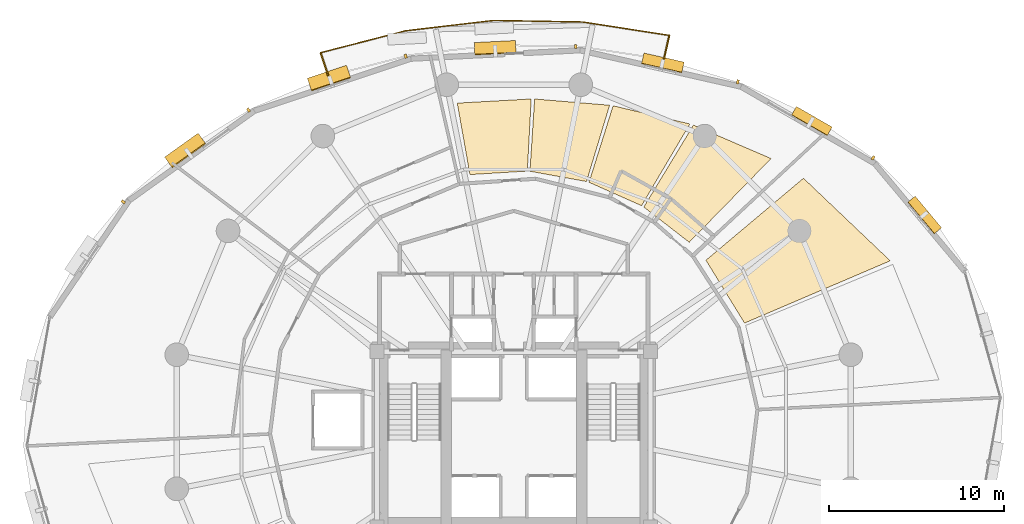
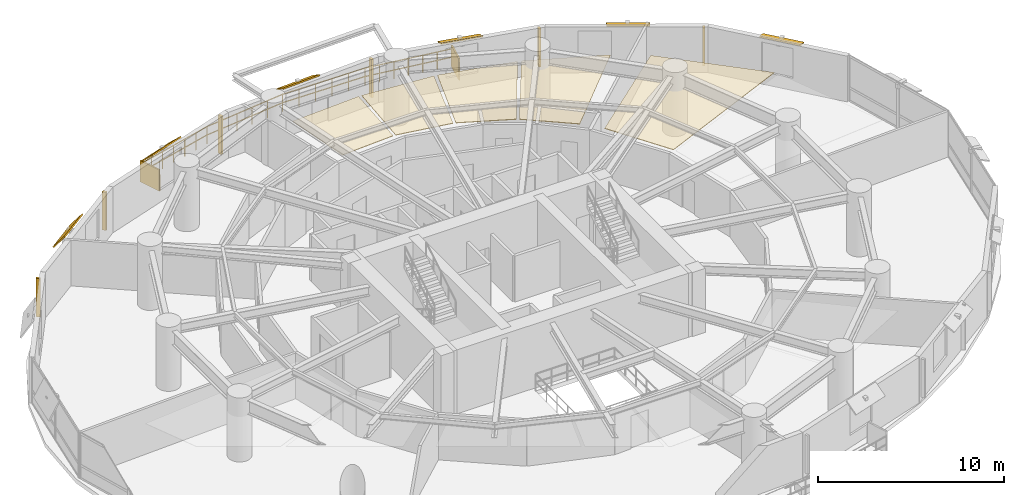
# One storey, part 16 of 16: 14 shading devices, 5 coverings, 1 railing.
"""IFC4 building model written with IfcOpenShell, lengths in metres."""

from ifc_helpers import new_model, si_unit, direction, frame, origin, origin_2d, place, context, subcontext, project, spatial, polyline, rectangle, outline, extrude, material, layer, layer_set, type_object, element, save


model = new_model("IFC4")

# Units and contexts
model_context = context("Model", 3, precision=1e-05, world=origin(), true_north=direction((0.0, 1.0)))
body_context = subcontext(model_context, "Body", "Model", "MODEL_VIEW")
ifc_project = project(units=[si_unit("LENGTHUNIT", "METRE"), si_unit("AREAUNIT", "SQUARE_METRE"), si_unit("VOLUMEUNIT", "CUBIC_METRE"), si_unit("PLANEANGLEUNIT", "RADIAN"), si_unit("MASSUNIT", "GRAM", prefix="KILO"), si_unit("THERMODYNAMICTEMPERATUREUNIT", "KELVIN"), si_unit("POWERUNIT", "WATT")], contexts=[model_context])

# Site, building, storey
site_placement = place(None, origin())
site = spatial("IfcSite", under=ifc_project, at=site_placement, CompositionType="ELEMENT")
building_placement = place(site_placement, origin())
building = spatial("IfcBuilding", under=site, at=building_placement, Name="Ocrelia Relay Tower", CompositionType="ELEMENT")
storey_placement = place(building_placement, frame((0.0, 0.0, 42.60009765625)))
storey = spatial("IfcBuildingStorey", under=building, at=storey_placement, Name="L09", CompositionType="ELEMENT", Elevation=42.60009765625)

# Coverings
ifc_material_1 = material(Name="Mineral-fiber acoustic ceiling tile", Category="gypsum")
ifc_layer_1 = layer(ifc_material_1, 0.0400390625, Name="Mineral-fiber acoustic ceiling tile")
ifc_layer_set_1 = layer_set([ifc_layer_1], Name="Mineral-fiber acoustic ceiling tile")
covering_type = type_object("IfcCoveringType", Name="COV-CEIL-ACOUSTIC", PredefinedType="CEILING", material=ifc_layer_set_1)
covering_1_placement = place(storey_placement, frame((0.0, 0.0, 2.919921875)))
element("IfcCovering", 1, at=covering_1_placement, inside=storey, type_object=covering_type, Name="L09 Network Engineering Office A Suspended Ceiling 1", PredefinedType="CEILING", context=body_context, shape_type="SweptSolid", body=[
    extrude(outline(polyline([(44.01025390625, 36.239990234375), (48.67919921875, 41.01611328125), (44.25, 42.924560546875), (41.418212890625, 38.248779296875), (44.01025390625, 36.239990234375)])), origin(), (0.0, 0.0, 1.0), 0.0400390625),
])
covering_2_placement = place(storey_placement, frame((0.0, 0.0, 2.919921875)))
element("IfcCovering", 2, at=covering_2_placement, inside=storey, type_object=covering_type, Name="L09 Network Engineering Office A Suspended Ceiling 2", PredefinedType="CEILING", context=body_context, shape_type="SweptSolid", body=[
    extrude(outline(polyline([(41.28955078125, 38.32568359375), (44.0478515625, 42.989990234375), (39.666748046875, 44.02734375), (38.294189453125, 39.660888671875), (41.28955078125, 38.32568359375)])), origin(), (0.0, 0.0, 1.0), 0.0400390625),
])
covering_3_placement = place(storey_placement, frame((0.0, 0.0, 2.919921875)))
element("IfcCovering", 3, at=covering_3_placement, inside=storey, type_object=covering_type, Name="L09 Network Engineering Office A Suspended Ceiling 3", PredefinedType="CEILING", context=body_context, shape_type="SweptSolid", body=[
    extrude(outline(polyline([(38.15087890625, 39.705078125), (39.46923828125, 44.05810546875), (35.190673828125, 44.413330078125), (34.924072265625, 40.290283203125), (38.15087890625, 39.705078125)])), origin(), (0.0, 0.0, 1.0), 0.0400390625),
])
covering_4_placement = place(storey_placement, frame((0.0, 0.0, 2.919921875)))
element("IfcCovering", 4, at=covering_4_placement, inside=storey, type_object=covering_type, Name="L09 Network Engineering Office A Suspended Ceiling 4", PredefinedType="CEILING", context=body_context, shape_type="SweptSolid", body=[
    extrude(outline(polyline([(34.7744140625, 40.299072265625), (34.997314453125, 44.415771484375), (30.778076171875, 44.179443359375), (31.501220703125, 40.100341796875), (34.7744140625, 40.299072265625)])), origin(), (0.0, 0.0, 1.0), 0.0400390625),
])
covering_5_placement = place(storey_placement, frame((0.0, 0.0, 2.919921875)))
element("IfcCovering", 5, at=covering_5_placement, inside=storey, type_object=covering_type, Name="L09 Shift Staff Lounge Suspended Ceiling 2", PredefinedType="CEILING", context=body_context, shape_type="SweptSolid", body=[
    extrude(outline(polyline([(47.1669921875, 31.6298828125), (55.476318359375, 35.1826171875), (50.526611328125, 39.89208984375), (44.961669921875, 35.21435546875), (47.1669921875, 31.6298828125)])), origin(), (0.0, 0.0, 1.0), 0.0400390625),
])

# Railing
ifc_material_2 = material(Name="Steel S355 balustrade", Category="steel")
railing_type = type_object("IfcRailingType", Name="RL-EXT-GUARD-1150", PredefinedType="GUARDRAIL", material=ifc_material_2)
railing_placement = place(storey_placement, frame((23.421142578125, 45.730712890625, 0.0)))
element("IfcRailing", 6, at=railing_placement, inside=storey, type_object=railing_type, Name="L09 Loggia Balcony Guard Rail B1", PredefinedType="GUARDRAIL", context=body_context, shape_type="SweptSolid", body=[
    extrude(rectangle(XDim=0.048095703125, YDim=0.048095703125, at=origin_2d()), frame((0.0, 0.0, 1.1259765625), z_axis=(-0.317489032243, 0.948261943983, 0.0), x_axis=(-0.948261943983, -0.317489032243, 0.0)), (0.0, 0.0, 1.0), 1.393310546875),
    extrude(rectangle(XDim=0.048095703125, YDim=0.048095703125, at=origin_2d()), frame((0.0, 0.0, 0.574951171875), z_axis=(-0.317489032243, 0.948261943983, 0.0), x_axis=(-0.948261943983, -0.317489032243, 0.0)), (0.0, 0.0, 1.0), 1.393310546875),
    extrude(rectangle(XDim=0.048095703125, YDim=0.048095703125, at=origin_2d()), frame((-0.4423828125, 1.3212890625, 1.1259765625), z_axis=(0.96825069539, 0.249981181044, 0.0), x_axis=(-0.249981181044, 0.96825069539, 0.0)), (0.0, 0.0, 1.0), 2.505126953125),
    extrude(rectangle(XDim=0.048095703125, YDim=0.048095703125, at=origin_2d()), frame((-0.4423828125, 1.3212890625, 0.574951171875), z_axis=(0.96825069539, 0.249981181044, 0.0), x_axis=(-0.249981181044, 0.96825069539, 0.0)), (0.0, 0.0, 1.0), 2.505126953125),
    extrude(rectangle(XDim=0.048095703125, YDim=0.048095703125, at=origin_2d()), frame((1.983154296875, 1.947509765625, 1.1259765625), z_axis=(0.968244604286, 0.250004772498, 0.0), x_axis=(-0.250004772498, 0.968244604286, 0.0)), (0.0, 0.0, 1.0), 2.5048828125),
    extrude(rectangle(XDim=0.048095703125, YDim=0.048095703125, at=origin_2d()), frame((1.983154296875, 1.947509765625, 0.574951171875), z_axis=(0.968244604286, 0.250004772498, 0.0), x_axis=(-0.250004772498, 0.968244604286, 0.0)), (0.0, 0.0, 1.0), 2.5048828125),
    extrude(rectangle(XDim=0.048095703125, YDim=0.048095703125, at=origin_2d()), frame((4.408447265625, 2.57373046875, 1.1259765625), z_axis=(0.993184779618, 0.116550390542, 0.0), x_axis=(-0.116550390542, 0.993184779618, 0.0)), (0.0, 0.0, 1.0), 5.06494140625),
    extrude(rectangle(XDim=0.048095703125, YDim=0.048095703125, at=origin_2d()), frame((4.408447265625, 2.57373046875, 0.574951171875), z_axis=(0.993184779618, 0.116550390542, 0.0), x_axis=(-0.116550390542, 0.993184779618, 0.0)), (0.0, 0.0, 1.0), 5.06494140625),
    extrude(rectangle(XDim=0.048095703125, YDim=0.048095703125, at=origin_2d()), frame((9.43896484375, 3.1640625, 1.1259765625), z_axis=(0.999849446134, -0.01735180296, 0.0), x_axis=(0.01735180296, 0.999849446134, 0.0)), (0.0, 0.0, 1.0), 5.065185546875),
    extrude(rectangle(XDim=0.048095703125, YDim=0.048095703125, at=origin_2d()), frame((9.43896484375, 3.1640625, 0.574951171875), z_axis=(0.999849446134, -0.01735180296, 0.0), x_axis=(0.01735180296, 0.999849446134, 0.0)), (0.0, 0.0, 1.0), 5.065185546875),
    extrude(rectangle(XDim=0.048095703125, YDim=0.048095703125, at=origin_2d()), frame((14.50341796875, 3.076171875, 1.1259765625), z_axis=(0.988298343166, -0.152533225548, 0.0), x_axis=(0.152533225548, 0.988298343166, 0.0)), (0.0, 0.0, 1.0), 2.5048828125),
    extrude(rectangle(XDim=0.048095703125, YDim=0.048095703125, at=origin_2d()), frame((14.50341796875, 3.076171875, 0.574951171875), z_axis=(0.988298343166, -0.152533225548, 0.0), x_axis=(0.152533225548, 0.988298343166, 0.0)), (0.0, 0.0, 1.0), 2.5048828125),
    extrude(rectangle(XDim=0.048095703125, YDim=0.048095703125, at=origin_2d()), frame((16.97900390625, 2.694091796875, 1.1259765625), z_axis=(0.988300610504, -0.152518534211, 0.0), x_axis=(0.152518534211, 0.988300610504, 0.0)), (0.0, 0.0, 1.0), 2.505126953125),
    extrude(rectangle(XDim=0.048095703125, YDim=0.048095703125, at=origin_2d()), frame((16.97900390625, 2.694091796875, 0.574951171875), z_axis=(0.988300610504, -0.152518534211, 0.0), x_axis=(0.152518534211, 0.988300610504, 0.0)), (0.0, 0.0, 1.0), 2.505126953125),
    extrude(rectangle(XDim=0.048095703125, YDim=0.048095703125, at=origin_2d()), frame((19.454833984375, 2.31201171875, 1.1259765625), z_axis=(-0.221787683593, -0.975094981736, 0.0), x_axis=(0.975094981736, -0.221787683593, 0.0)), (0.0, 0.0, 1.0), 1.3935546875),
    extrude(rectangle(XDim=0.048095703125, YDim=0.048095703125, at=origin_2d()), frame((19.454833984375, 2.31201171875, 0.574951171875), z_axis=(-0.221787683593, -0.975094981736, 0.0), x_axis=(0.975094981736, -0.221787683593, 0.0)), (0.0, 0.0, 1.0), 1.3935546875),
    extrude(rectangle(XDim=0.0419921875, YDim=0.0419921875, at=origin_2d()), origin(), (0.0, 0.0, 1.0), 1.101806640625),
    extrude(rectangle(XDim=0.0419921875, YDim=0.0419921875, at=origin_2d()), frame((-0.22119140625, 0.66064453125, 0.0)), (0.0, 0.0, 1.0), 1.101806640625),
    extrude(rectangle(XDim=0.0419921875, YDim=0.0419921875, at=origin_2d()), frame((-0.4423828125, 1.3212890625, 0.0)), (0.0, 0.0, 1.0), 1.101806640625),
    extrude(rectangle(XDim=0.0419921875, YDim=0.0419921875, at=origin_2d()), frame((0.3662109375, 1.530029296875, 0.0)), (0.0, 0.0, 1.0), 1.101806640625),
    extrude(rectangle(XDim=0.0419921875, YDim=0.0419921875, at=origin_2d()), frame((1.174560546875, 1.73876953125, 0.0)), (0.0, 0.0, 1.0), 1.101806640625),
    extrude(rectangle(XDim=0.0419921875, YDim=0.0419921875, at=origin_2d()), frame((1.983154296875, 1.947509765625, 0.0)), (0.0, 0.0, 1.0), 1.101806640625),
    extrude(rectangle(XDim=0.0419921875, YDim=0.0419921875, at=origin_2d()), frame((2.79150390625, 2.15625, 0.0)), (0.0, 0.0, 1.0), 1.101806640625),
    extrude(rectangle(XDim=0.0419921875, YDim=0.0419921875, at=origin_2d()), frame((3.60009765625, 2.364990234375, 0.0)), (0.0, 0.0, 1.0), 1.101806640625),
    extrude(rectangle(XDim=0.0419921875, YDim=0.0419921875, at=origin_2d()), frame((4.408447265625, 2.57373046875, 0.0)), (0.0, 0.0, 1.0), 1.101806640625),
    extrude(rectangle(XDim=0.0419921875, YDim=0.0419921875, at=origin_2d()), frame((5.41455078125, 2.69189453125, 0.0)), (0.0, 0.0, 1.0), 1.101806640625),
    extrude(rectangle(XDim=0.0419921875, YDim=0.0419921875, at=origin_2d()), frame((6.420654296875, 2.809814453125, 0.0)), (0.0, 0.0, 1.0), 1.101806640625),
    extrude(rectangle(XDim=0.0419921875, YDim=0.0419921875, at=origin_2d()), frame((7.4267578125, 2.927978515625, 0.0)), (0.0, 0.0, 1.0), 1.101806640625),
    extrude(rectangle(XDim=0.0419921875, YDim=0.0419921875, at=origin_2d()), frame((8.432861328125, 3.0458984375, 0.0)), (0.0, 0.0, 1.0), 1.101806640625),
    extrude(rectangle(XDim=0.0419921875, YDim=0.0419921875, at=origin_2d()), frame((9.43896484375, 3.1640625, 0.0)), (0.0, 0.0, 1.0), 1.101806640625),
    extrude(rectangle(XDim=0.0419921875, YDim=0.0419921875, at=origin_2d()), frame((10.451904296875, 3.146484375, 0.0)), (0.0, 0.0, 1.0), 1.101806640625),
    extrude(rectangle(XDim=0.0419921875, YDim=0.0419921875, at=origin_2d()), frame((11.46484375, 3.12890625, 0.0)), (0.0, 0.0, 1.0), 1.101806640625),
    extrude(rectangle(XDim=0.0419921875, YDim=0.0419921875, at=origin_2d()), frame((12.4775390625, 3.111328125, 0.0)), (0.0, 0.0, 1.0), 1.101806640625),
    extrude(rectangle(XDim=0.0419921875, YDim=0.0419921875, at=origin_2d()), frame((13.490478515625, 3.09375, 0.0)), (0.0, 0.0, 1.0), 1.101806640625),
    extrude(rectangle(XDim=0.0419921875, YDim=0.0419921875, at=origin_2d()), frame((14.50341796875, 3.076171875, 0.0)), (0.0, 0.0, 1.0), 1.101806640625),
    extrude(rectangle(XDim=0.0419921875, YDim=0.0419921875, at=origin_2d()), frame((15.32861328125, 2.94873046875, 0.0)), (0.0, 0.0, 1.0), 1.101806640625),
    extrude(rectangle(XDim=0.0419921875, YDim=0.0419921875, at=origin_2d()), frame((16.15380859375, 2.821533203125, 0.0)), (0.0, 0.0, 1.0), 1.101806640625),
    extrude(rectangle(XDim=0.0419921875, YDim=0.0419921875, at=origin_2d()), frame((16.97900390625, 2.694091796875, 0.0)), (0.0, 0.0, 1.0), 1.101806640625),
    extrude(rectangle(XDim=0.0419921875, YDim=0.0419921875, at=origin_2d()), frame((17.80419921875, 2.566650390625, 0.0)), (0.0, 0.0, 1.0), 1.101806640625),
    extrude(rectangle(XDim=0.0419921875, YDim=0.0419921875, at=origin_2d()), frame((18.629638671875, 2.439453125, 0.0)), (0.0, 0.0, 1.0), 1.101806640625),
    extrude(rectangle(XDim=0.0419921875, YDim=0.0419921875, at=origin_2d()), frame((19.454833984375, 2.31201171875, 0.0)), (0.0, 0.0, 1.0), 1.101806640625),
    extrude(rectangle(XDim=0.0419921875, YDim=0.0419921875, at=origin_2d()), frame((19.30029296875, 1.632568359375, 0.0)), (0.0, 0.0, 1.0), 1.101806640625),
    extrude(rectangle(XDim=0.0419921875, YDim=0.0419921875, at=origin_2d()), frame((19.145751953125, 0.953125, 0.0)), (0.0, 0.0, 1.0), 1.101806640625),
])

# Shading devices
ifc_material_3 = material(Name="Perforated oxide terracotta solar screen", Category="masonry")
ifc_layer_2 = layer(ifc_material_3, 0.090087890625, Name="Perforated oxide terracotta solar screen")
ifc_layer_set_2 = layer_set([ifc_layer_2], Name="Perforated oxide terracotta solar screen")
shading_device_type_1 = type_object("IfcShadingDeviceType", Name="SH-BALC-SCREEN", PredefinedType="USERDEFINED", material=ifc_layer_set_2)
for number, where, z_axis, x_axis, name in (
    (7, (42.721435546875, 47.36328125, 0.0), (0.0, 0.0, 1.0), (0.221745170019, 0.975104650575, 0.0), "L09 Balcony Perforated Terracotta Screen B1-1"),
    (8, (23.199951171875, 46.391357421875, 0.0), (0.0, 0.0, 1.0), (-0.317540682139, 0.948244649438, 0.0), "L09 Balcony Perforated Terracotta Screen B1-2"),
):
    element("IfcShadingDevice", number, at=place(storey_placement, frame(where, z_axis=z_axis, x_axis=x_axis)), inside=storey, type_object=shading_device_type_1, Name=name, ObjectType="SCREEN", PredefinedType="USERDEFINED", context=body_context, shape_type="SweptSolid", body=[
        extrude(rectangle(XDim=1.340087890625, YDim=0.090087890625, at=origin_2d()), origin(), (0.0, 0.0, 1.0), 1.39990234375),
    ])
ifc_material_4 = material(Name="Extruded oxide terracotta vertical baguette", Category="masonry")
shading_device_type_2 = type_object("IfcShadingDeviceType", Name="SH-TERR-BAGUETTE", PredefinedType="USERDEFINED", material=ifc_material_4)
for number, where, z_axis, x_axis, name in (
    (9, (54.495361328125, 41.05224609375, 0.25), (0.0, 0.0, 1.0), (-0.867004455903, 0.498300384752, 0.0), "L09 Oxide Terracotta Vertical Baguette 03"),
    (10, (46.7822265625, 45.391845703125, 0.25), (0.0, 0.0, 1.0), (-0.975411485946, 0.220391544947, 0.0), "L09 Oxide Terracotta Vertical Baguette 04"),
    (11, (37.52734375, 47.408203125, 0.25), (0.0, 0.0, 1.0), (-0.998762880658, -0.049726333258, 0.0), "L09 Oxide Terracotta Vertical Baguette 05"),
    (12, (27.835205078125, 46.852783203125, 0.25), (0.0, 0.0, 1.0), (-0.948700284016, -0.316176803558, 0.0), "L09 Oxide Terracotta Vertical Baguette 06"),
    (13, (18.87109375, 43.77978515625, 0.25), (0.0, 0.0, 1.0), (-0.813229055899, -0.581943728072, 0.0), "L09 Oxide Terracotta Vertical Baguette 07"),
    (14, (11.724609375, 38.546142578125, 0.25), (0.0, 0.0, 1.0), (-0.561356604913, -0.827574022139, 0.0), "L09 Oxide Terracotta Vertical Baguette 08"),
):
    element("IfcShadingDevice", number, at=place(storey_placement, frame(where, z_axis=z_axis, x_axis=x_axis)), inside=storey, type_object=shading_device_type_2, Name=name, ObjectType="BAGUETTE", PredefinedType="USERDEFINED", context=body_context, shape_type="SweptSolid", body=[
        extrude(rectangle(XDim=0.139892578125, YDim=0.239990234375, at=origin_2d()), origin(), (0.0, 0.0, 1.0), 2.5),
    ])
ifc_material_5 = material(Name="Extruded oxide terracotta fin", Category="masonry")
ifc_layer_3 = layer(ifc_material_5, 0.080078125, Name="Extruded oxide terracotta fin")
ifc_layer_set_3 = layer_set([ifc_layer_3], Name="Extruded oxide terracotta fin")
shading_device_type_3 = type_object("IfcShadingDeviceType", Name="SH-VISOR-FIN-MED", PredefinedType="USERDEFINED", material=ifc_layer_set_3)
shading_device_1_placement = place(storey_placement, frame((32.93896484375, 47.31201171875, 2.80615234375), z_axis=(-0.027046498236, 0.54323407178, 0.839145535763), x_axis=(-0.998762880658, -0.049726333258, 0.0)))
element("IfcShadingDevice", 15, at=shading_device_1_placement, inside=storey, type_object=shading_device_type_3, Name="L09 Canted Terracotta Sun-Visor Fin 05", ObjectType="FIN", PredefinedType="USERDEFINED", context=body_context, shape_type="SweptSolid", body=[
    extrude(rectangle(XDim=2.35009765625, YDim=0.799072265625, at=origin_2d()), origin(), (0.0, 0.0, 1.0), 0.080078125),
])
shading_device_2_placement = place(storey_placement, frame((23.471923828125, 45.576171875, 2.810791015625), z_axis=(-0.217080700961, 0.651358734537, 0.727054171443), x_axis=(-0.948700284016, -0.316176803558, 0.0)))
element("IfcShadingDevice", 16, at=shading_device_2_placement, inside=storey, type_object=shading_device_type_3, Name="L09 Canted Terracotta Sun-Visor Fin 06", ObjectType="FIN", PredefinedType="USERDEFINED", context=body_context, shape_type="SweptSolid", body=[
    extrude(rectangle(XDim=2.35009765625, YDim=0.972900390625, at=origin_2d()), origin(), (0.0, 0.0, 1.0), 0.080078125),
])
shading_device_3_placement = place(storey_placement, frame((15.27783203125, 41.449951171875, 2.8154296875), z_axis=(-0.460509677287, 0.64353275416, 0.611388936315), x_axis=(-0.813229055899, -0.581943728072, 0.0)))
element("IfcShadingDevice", 17, at=shading_device_3_placement, inside=storey, type_object=shading_device_type_3, Name="L09 Canted Terracotta Sun-Visor Fin 07", ObjectType="FIN", PredefinedType="USERDEFINED", context=body_context, shape_type="SweptSolid", body=[
    extrude(rectangle(XDim=2.35009765625, YDim=1.1220703125, at=origin_2d()), origin(), (0.0, 0.0, 1.0), 0.080078125),
])
ifc_layer_4 = layer(ifc_material_5, 0.080078125, Name="Extruded oxide terracotta fin")
ifc_layer_set_4 = layer_set([ifc_layer_4], Name="Extruded oxide terracotta fin")
shading_device_type_4 = type_object("IfcShadingDeviceType", Name="SH-VISOR-FIN-SHAL", PredefinedType="USERDEFINED", material=ifc_layer_set_4)
shading_device_4_placement = place(storey_placement, frame((57.429931640625, 37.787353515625, 2.8017578125), z_axis=(0.237369226645, 0.198116040683, 0.95100256817), x_axis=(-0.640772789184, 0.767730572949, 0.0)))
element("IfcShadingDevice", 18, at=shading_device_4_placement, inside=storey, type_object=shading_device_type_4, Name="L09 Canted Terracotta Sun-Visor Fin 02", ObjectType="FIN", PredefinedType="USERDEFINED", context=body_context, shape_type="SweptSolid", body=[
    extrude(rectangle(XDim=2.35009765625, YDim=0.550048828125, at=origin_2d()), origin(), (0.0, 0.0, 1.0), 0.080078125),
])
shading_device_5_placement = place(storey_placement, frame((50.99658203125, 43.140625, 2.802001953125), z_axis=(0.16617211353, 0.289126734167, 0.942757954236), x_axis=(-0.867004455903, 0.498300384752, 0.0)))
element("IfcShadingDevice", 19, at=shading_device_5_placement, inside=storey, type_object=shading_device_type_4, Name="L09 Canted Terracotta Sun-Visor Fin 03", ObjectType="FIN", PredefinedType="USERDEFINED", context=body_context, shape_type="SweptSolid", body=[
    extrude(rectangle(XDim=2.35009765625, YDim=0.574951171875, at=origin_2d()), origin(), (0.0, 0.0, 1.0), 0.080078125),
])
shading_device_6_placement = place(storey_placement, frame((42.500244140625, 46.45361328125, 2.803466796875), z_axis=(0.090659226223, 0.401240667314, 0.911475085558), x_axis=(-0.975411485946, 0.220391544947, 0.0)))
element("IfcShadingDevice", 20, at=shading_device_6_placement, inside=storey, type_object=shading_device_type_4, Name="L09 Canted Terracotta Sun-Visor Fin 04", ObjectType="FIN", PredefinedType="USERDEFINED", context=body_context, shape_type="SweptSolid", body=[
    extrude(rectangle(XDim=2.35009765625, YDim=0.655029296875, at=origin_2d()), origin(), (0.0, 0.0, 1.0), 0.080078125),
])

save(model, "model.ifc")
